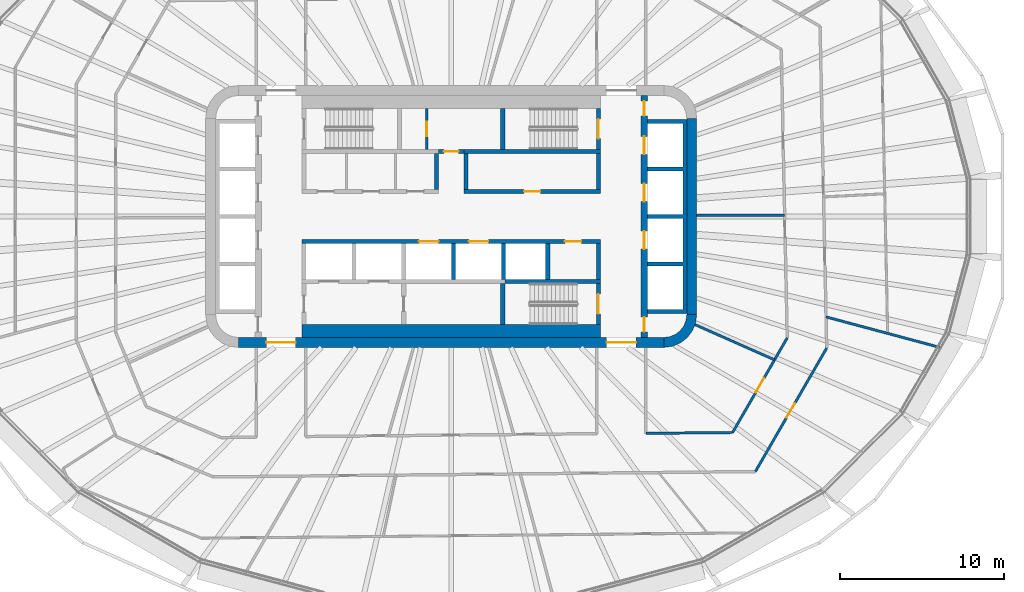
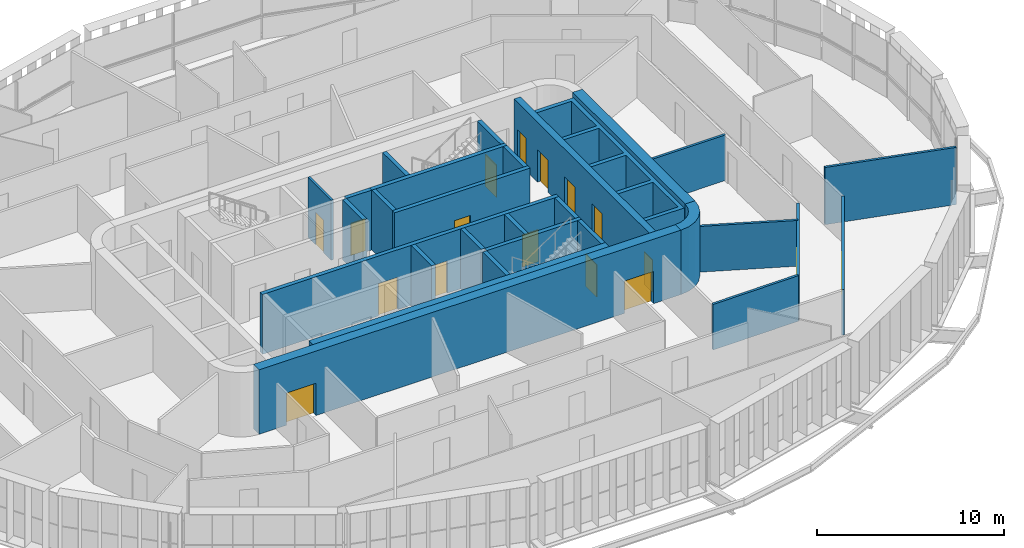
# One storey, part 16 of 26: 29 walls, 17 doors, 17 openings.
"""IFC4 building model written with IfcOpenShell, lengths in metres."""

from ifc_helpers import new_model, si_unit, direction, frame, frame_2d, origin, place, context, subcontext, project, spatial, polyline, rectangle, outline, extrude, material, layer, layer_set, type_object, element, fill, save


model = new_model("IFC4")

# Units and contexts
model_context = context("Model", 3, precision=1e-05, world=origin(), true_north=direction((0.0, 1.0)))
body_context = subcontext(model_context, "Body", "Model", "MODEL_VIEW")
ifc_project = project(units=[si_unit("LENGTHUNIT", "METRE"), si_unit("AREAUNIT", "SQUARE_METRE"), si_unit("VOLUMEUNIT", "CUBIC_METRE"), si_unit("PLANEANGLEUNIT", "RADIAN"), si_unit("MASSUNIT", "GRAM", prefix="KILO")], contexts=[model_context])

# Site, building, storey
site_placement = place(None, origin())
site = spatial("IfcSite", under=ifc_project, at=site_placement, CompositionType="ELEMENT")
building_placement = place(site_placement, origin())
building = spatial("IfcBuilding", under=site, at=building_placement, Name="Sahrelin Media Tower", CompositionType="ELEMENT")
storey_placement = place(building_placement, frame((0.0, 0.0, 92.39990234375)))
storey = spatial("IfcBuildingStorey", under=building, at=storey_placement, Name="L17", CompositionType="ELEMENT", Elevation=92.39990234375)

# Wall, openings, doors
ifc_material_1 = material(Name="Concrete C60/75", Category="concrete")
ifc_layer_1 = layer(ifc_material_1, 0.60009765625)
ifc_layer_set_1 = layer_set([ifc_layer_1], Name="Core wall 600")
wall_type_1 = type_object("IfcWallType", Name="Core wall 600", PredefinedType="SHEAR", material=ifc_layer_set_1)
wall_1_placement = place(storey_placement, frame((-13.0, -7.699951171875, 0.0), z_axis=(0.0, 0.0, 1.0), x_axis=(1.0, 0.0, 0.0)))
wall_1 = element("IfcWall", 1, at=wall_1_placement, inside=storey, type_object=wall_type_1, Name="Core wall S L17", PredefinedType="SHEAR", context=body_context, shape_type="SweptSolid", body=[
    extrude(rectangle(XDim=26.0, YDim=0.60009765625, at=frame_2d((13.0, 0.0))), origin(), (0.0, 0.0, 1.0), 4.2001953125),
])
opening_1_placement = place(wall_1_placement, frame((1.699951171875, 0.0, 0.0)))
opening_1 = element("IfcOpeningElement", 2, at=opening_1_placement, cuts=wall_1, Name="Opening L17-D19", PredefinedType="OPENING", context=body_context, shape_type="SweptSolid", body=[
    extrude(rectangle(XDim=1.800048828125, YDim=2.10009765625, at=frame_2d((0.89990234375, 1.050048828125))), frame((0.0, 0.300048828125, 0.0), z_axis=(0.0, -1.0, 0.0), x_axis=(1.0, 0.0, 0.0)), (0.0, 0.0, 1.0), 0.60009765625),
])
opening_2_placement = place(wall_1_placement, frame((22.5, 0.0, 0.0)))
opening_2 = element("IfcOpeningElement", 3, at=opening_2_placement, cuts=wall_1, Name="Opening L17-D20", PredefinedType="OPENING", context=body_context, shape_type="SweptSolid", body=[
    extrude(rectangle(XDim=1.800048828125, YDim=2.10009765625, at=frame_2d((0.89990234375, 1.050048828125))), frame((0.0, 0.300048828125, 0.0), z_axis=(0.0, -1.0, 0.0), x_axis=(1.0, 0.0, 0.0)), (0.0, 0.0, 1.0), 0.60009765625),
])
ifc_material_2 = material(Name="Steel fire door leaf", Category="steel")
door_type_1 = type_object("IfcDoorType", Name="Lobby double door 1800 x 2100 EI 60", OperationType="DOUBLE_DOOR_SINGLE_SWING", PredefinedType="DOOR", material=ifc_material_2)
door_1_placement = place(opening_1_placement, origin())
door_1 = element("IfcDoor", 4, at=door_1_placement, inside=storey, type_object=door_type_1, Name="Lobby door", OperationType="DOUBLE_DOOR_SINGLE_SWING", OverallHeight=2.10009765625, OverallWidth=1.800048828125, PredefinedType="DOOR", context=body_context, shape_type="SweptSolid", body=[
    extrude(rectangle(XDim=1.800048828125, YDim=2.10009765625, at=frame_2d((0.89990234375, 1.050048828125))), frame((0.0, 0.02490234375, 0.0), z_axis=(0.0, -1.0, 0.0), x_axis=(1.0, 0.0, 0.0)), (0.0, 0.0, 1.0), 0.050048828125),
])
fill(opening_1, door_1)
door_2_placement = place(opening_2_placement, origin())
door_2 = element("IfcDoor", 5, at=door_2_placement, inside=storey, type_object=door_type_1, Name="Lobby door", OperationType="DOUBLE_DOOR_SINGLE_SWING", OverallHeight=2.10009765625, OverallWidth=1.800048828125, PredefinedType="DOOR", context=body_context, shape_type="SweptSolid", body=[
    extrude(rectangle(XDim=1.800048828125, YDim=2.10009765625, at=frame_2d((0.89990234375, 1.050048828125))), frame((0.0, 0.02490234375, 0.0), z_axis=(0.0, -1.0, 0.0), x_axis=(1.0, 0.0, 0.0)), (0.0, 0.0, 1.0), 0.050048828125),
])
fill(opening_2, door_2)

# Walls
wall_2_placement = place(storey_placement, frame((14.699951171875, -6.0, 0.0), z_axis=(0.0, 0.0, 1.0), x_axis=(0.0, 1.0, 0.0)))
element("IfcWall", 6, at=wall_2_placement, inside=storey, type_object=wall_type_1, Name="Core wall E L17", PredefinedType="SHEAR", context=body_context, shape_type="SweptSolid", body=[
    extrude(rectangle(XDim=12.0, YDim=0.60009765625, at=frame_2d((6.0, 0.0))), origin(), (0.0, 0.0, 1.0), 4.2001953125),
])
placement = place(storey_placement, origin())
element("IfcWall", 7, at=placement, inside=storey, type_object=wall_type_1, Name="Core wall corner SE L17", PredefinedType="SHEAR", context=body_context, shape_type="SweptSolid", body=[
    extrude(outline(polyline([(15.0, -6.0), (14.394775390625, -6.0), (14.347412109375, -6.361083984375), (14.2080078125, -6.697509765625), (13.986328125, -6.986328125), (13.697509765625, -7.2080078125), (13.361083984375, -7.347412109375), (13.0, -7.394775390625), (13.0, -8.0), (13.517578125, -7.931884765625), (14.0, -7.732177734375), (14.414306640625, -7.414306640625), (14.732177734375, -7.0), (14.931884765625, -6.517578125), (15.0, -6.0)])), origin(), (0.0, 0.0, 1.0), 4.2001953125),
])

# Wall, opening, door
ifc_material_3 = material(Name="Fire-rated gypsum board partition")
ifc_layer_2 = layer(ifc_material_3, 0.25)
ifc_layer_set_2 = layer_set([ifc_layer_2], Name="Fire-rated lobby wall 250")
wall_type_2 = type_object("IfcWallType", Name="Fire-rated lobby wall 250", PredefinedType="PARTITIONING", material=ifc_layer_set_2)
wall_4_placement = place(storey_placement, frame((-0.77490234375, 3.97509765625, 0.0), z_axis=(0.0, 0.0, 1.0), x_axis=(1.0, 0.0, 0.0)))
wall_4 = element("IfcWall", 8, at=wall_4_placement, inside=storey, type_object=wall_type_2, Name="Core lobby wall", PredefinedType="PARTITIONING", context=body_context, shape_type="SweptSolid", body=[
    extrude(rectangle(XDim=1.5498046875, YDim=0.25, at=frame_2d((0.77490234375, 0.0))), origin(), (0.0, 0.0, 1.0), 3.900146484375),
])
opening_3_placement = place(wall_4_placement, frame((0.324951171875, 0.0, 0.0)))
opening_3 = element("IfcOpeningElement", 9, at=opening_3_placement, cuts=wall_4, Name="Opening L17-D06", PredefinedType="OPENING", context=body_context, shape_type="SweptSolid", body=[
    extrude(rectangle(XDim=0.89990234375, YDim=2.10009765625, at=frame_2d((0.449951171875, 1.050048828125))), frame((0.0, 0.125, 0.0), z_axis=(0.0, -1.0, 0.0), x_axis=(1.0, 0.0, 0.0)), (0.0, 0.0, 1.0), 0.25),
])
door_type_2 = type_object("IfcDoorType", Name="Riser door 900 x 2100 EI 120", OperationType="NOTDEFINED", PredefinedType="DOOR", material=ifc_material_2)
door_3_placement = place(opening_3_placement, origin())
door_3 = element("IfcDoor", 10, at=door_3_placement, inside=storey, type_object=door_type_2, Name="Core room door", OperationType="SINGLE_SWING_LEFT", OverallHeight=2.10009765625, OverallWidth=0.89990234375, PredefinedType="DOOR", context=body_context, shape_type="SweptSolid", body=[
    extrude(rectangle(XDim=0.89990234375, YDim=2.10009765625, at=frame_2d((0.449951171875, 1.050048828125))), frame((0.0, 0.02490234375, 0.0), z_axis=(0.0, -1.0, 0.0), x_axis=(1.0, 0.0, 0.0)), (0.0, 0.0, 1.0), 0.050048828125),
])
fill(opening_3, door_3)

wall_5_placement = place(storey_placement, frame((0.77490234375, 1.52490234375, 0.0), z_axis=(0.0, 0.0, 1.0), x_axis=(1.0, 0.0, 0.0)))
wall_5 = element("IfcWall", 11, at=wall_5_placement, inside=storey, type_object=wall_type_2, Name="Core lobby wall", PredefinedType="PARTITIONING", context=body_context, shape_type="SweptSolid", body=[
    extrude(rectangle(XDim=8.35009765625, YDim=0.25, at=frame_2d((4.175048828125, 0.0))), origin(), (0.0, 0.0, 1.0), 3.900146484375),
])
opening_4_placement = place(wall_5_placement, frame((3.675048828125, 0.0, 0.0)))
opening_4 = element("IfcOpeningElement", 12, at=opening_4_placement, cuts=wall_5, Name="Opening L17-D11", PredefinedType="OPENING", context=body_context, shape_type="SweptSolid", body=[
    extrude(rectangle(XDim=1.0, YDim=2.10009765625, at=frame_2d((0.5, 1.050048828125))), frame((0.0, 0.125, 0.0), z_axis=(0.0, -1.0, 0.0), x_axis=(1.0, 0.0, 0.0)), (0.0, 0.0, 1.0), 0.25),
])
door_type_3 = type_object("IfcDoorType", Name="Fire door 1000 x 2100 EI 60", OperationType="NOTDEFINED", PredefinedType="DOOR", material=ifc_material_2)
door_4_placement = place(opening_4_placement, origin())
door_4 = element("IfcDoor", 13, at=door_4_placement, inside=storey, type_object=door_type_3, Name="Core room door", OperationType="SINGLE_SWING_LEFT", OverallHeight=2.10009765625, OverallWidth=1.0, PredefinedType="DOOR", context=body_context, shape_type="SweptSolid", body=[
    extrude(rectangle(XDim=1.0, YDim=2.10009765625, at=frame_2d((0.5, 1.050048828125))), frame((0.0, 0.02490234375, 0.0), z_axis=(0.0, -1.0, 0.0), x_axis=(1.0, 0.0, 0.0)), (0.0, 0.0, 1.0), 0.050048828125),
])
fill(opening_4, door_4)

# Walls
for number, where, z_axis, x_axis, name in (
    (14, (-0.89990234375, 1.64990234375, 0.0), (0.0, 0.0, 1.0), (0.0, 1.0, 0.0), "Core lobby wall"),
    (15, (9.0, 1.64990234375, 0.0), (0.0, 0.0, 1.0), (0.0, 1.0, 0.0), "Core lobby wall"),
    (16, (0.89990234375, 1.64990234375, 0.0), (0.0, 0.0, 1.0), (0.0, 1.0, 0.0), "Core lobby wall"),
):
    element("IfcWall", number, at=place(storey_placement, frame(where, z_axis=z_axis, x_axis=x_axis)), inside=storey, type_object=wall_type_2, Name=name, PredefinedType="PARTITIONING", context=body_context, shape_type="SweptSolid", body=[
        extrude(rectangle(XDim=2.2001953125, YDim=0.25, at=frame_2d((1.10009765625, 0.0))), origin(), (0.0, 0.0, 1.0), 3.900146484375),
    ])

# Wall, opening, door
ifc_layer_3 = layer(ifc_material_3, 0.14990234375)
ifc_layer_set_3 = layer_set([ifc_layer_3], Name="Fire-rated partition 150")
wall_type_3 = type_object("IfcWallType", Name="Fire-rated partition 150", PredefinedType="PARTITIONING", material=ifc_layer_set_3)
wall_6_placement = place(storey_placement, frame((-1.5, 4.10009765625, 0.0), z_axis=(0.0, 0.0, 1.0), x_axis=(0.0, 1.0, 0.0)))
wall_6 = element("IfcWall", 17, at=wall_6_placement, inside=storey, type_object=wall_type_3, Name="Core room fire partition", PredefinedType="PARTITIONING", context=body_context, shape_type="SweptSolid", body=[
    extrude(rectangle(XDim=2.5, YDim=0.14990234375, at=frame_2d((1.25, 0.0))), origin(), (0.0, 0.0, 1.0), 3.900146484375),
])
opening_5_placement = place(wall_6_placement, frame((0.800048828125, 0.0, 0.0)))
opening_5 = element("IfcOpeningElement", 18, at=opening_5_placement, cuts=wall_6, Name="Opening L17-D07", PredefinedType="OPENING", context=body_context, shape_type="SweptSolid", body=[
    extrude(rectangle(XDim=0.89990234375, YDim=2.10009765625, at=frame_2d((0.449951171875, 1.050048828125))), frame((0.0, 0.074951171875, 0.0), z_axis=(0.0, -1.0, 0.0), x_axis=(1.0, 0.0, 0.0)), (0.0, 0.0, 1.0), 0.14990234375),
])
door_type_4 = type_object("IfcDoorType", Name="Fire door 900 x 2100 EI 60", OperationType="NOTDEFINED", PredefinedType="DOOR", material=ifc_material_2)
door_5_placement = place(opening_5_placement, origin())
door_5 = element("IfcDoor", 19, at=door_5_placement, inside=storey, type_object=door_type_4, Name="Core room door", OperationType="SINGLE_SWING_LEFT", OverallHeight=2.10009765625, OverallWidth=0.89990234375, PredefinedType="DOOR", context=body_context, shape_type="SweptSolid", body=[
    extrude(rectangle(XDim=0.89990234375, YDim=2.10009765625, at=frame_2d((0.449951171875, 1.050048828125))), frame((0.0, 0.02490234375, 0.0), z_axis=(0.0, -1.0, 0.0), x_axis=(1.0, 0.0, 0.0)), (0.0, 0.0, 1.0), 0.050048828125),
])
fill(opening_5, door_5)

# Walls
wall_7_placement = place(storey_placement, frame((14.89501953125, -6.60693359375, 0.0), z_axis=(0.0, 0.0, 1.0), x_axis=(0.914233271379, -0.405188259337, 0.0)))
element("IfcWall", 20, at=wall_7_placement, inside=storey, type_object=wall_type_3, Name="Wall", PredefinedType="PARTITIONING", context=body_context, shape_type="SweptSolid", body=[
    extrude(rectangle(XDim=5.3173828125, YDim=0.14990234375, at=frame_2d((2.65869140625, 0.0))), origin(), (0.0, 0.0, 1.0), 2.97705078125),
])
wall_8_placement = place(storey_placement, frame((22.905029296875, -6.136962890625, 0.0), z_axis=(0.0, 0.0, 1.0), x_axis=(0.965915974273, -0.258855810529, 0.0)))
element("IfcWall", 21, at=wall_8_placement, inside=storey, type_object=wall_type_3, Name="Wall", PredefinedType="PARTITIONING", context=body_context, shape_type="SweptSolid", body=[
    extrude(rectangle(XDim=7.270751953125, YDim=0.14990234375, at=frame_2d((3.63525390625, 0.0))), origin(), (0.0, 0.0, 1.0), 3.726806640625),
])
wall_9_placement = place(storey_placement, frame((15.0, 0.06298828125, 0.0), z_axis=(0.0, 0.0, 1.0), x_axis=(0.999990294223, 0.004405843865, 0.0)))
element("IfcWall", 22, at=wall_9_placement, inside=storey, type_object=wall_type_3, Name="Wall", PredefinedType="PARTITIONING", context=body_context, shape_type="SweptSolid", body=[
    extrude(rectangle(XDim=5.375, YDim=0.14990234375, at=frame_2d((2.6875, 0.0))), origin(), (0.0, 0.0, 1.0), 2.96826171875),
])
wall_10_placement = place(storey_placement, frame((11.89990234375, -13.2529296875, 0.0), z_axis=(0.0, 0.0, 1.0), x_axis=(0.999950853109, 0.009914200296, 0.0)))
element("IfcWall", 23, at=wall_10_placement, inside=storey, type_object=wall_type_3, Name="Wall", PredefinedType="PARTITIONING", context=body_context, shape_type="SweptSolid", body=[
    extrude(rectangle(XDim=5.29443359375, YDim=0.14990234375, at=frame_2d((2.647216796875, 0.0))), origin(), (0.0, 0.0, 1.0), 2.96826171875),
])

# Wall, opening, door
wall_11_placement = place(storey_placement, frame((18.5869140625, -15.5869140625, 0.0), z_axis=(0.0, 0.0, 1.0), x_axis=(0.500026433136, 0.866010142069, 0.0)))
wall_11 = element("IfcWall", 24, at=wall_11_placement, inside=storey, type_object=wall_type_3, Name="Wall", PredefinedType="PARTITIONING", context=body_context, shape_type="SweptSolid", body=[
    extrude(rectangle(XDim=8.71337890625, YDim=0.14990234375, at=frame_2d((4.356689453125, 0.0))), origin(), (0.0, 0.0, 1.0), 2.96826171875),
])
opening_6_placement = place(wall_11_placement, frame((3.80712890625, 0.0, 0.0)))
opening_6 = element("IfcOpeningElement", 25, at=opening_6_placement, cuts=wall_11, Name="Opening L17-D36", PredefinedType="OPENING", context=body_context, shape_type="SweptSolid", body=[
    extrude(rectangle(XDim=1.0, YDim=2.10009765625, at=frame_2d((0.5, 1.050048828125))), frame((0.0, 0.074951171875, 0.0), z_axis=(0.0, -1.0, 0.0), x_axis=(1.0, 0.0, 0.0)), (0.0, 0.0, 1.0), 0.14990234375),
])
door_6_placement = place(opening_6_placement, origin())
door_6 = element("IfcDoor", 26, at=door_6_placement, inside=storey, type_object=door_type_3, Name="Fire door", OperationType="SINGLE_SWING_LEFT", OverallHeight=2.10009765625, OverallWidth=1.0, PredefinedType="DOOR", context=body_context, shape_type="SweptSolid", body=[
    extrude(rectangle(XDim=1.0, YDim=2.10009765625, at=frame_2d((0.5, 1.050048828125))), frame((0.0, 0.02490234375, 0.0), z_axis=(0.0, -1.0, 0.0), x_axis=(1.0, 0.0, 0.0)), (0.0, 0.0, 1.0), 0.050048828125),
])
fill(opening_6, door_6)

wall_12_placement = place(storey_placement, frame((17.194091796875, -13.200927734375, 0.0), z_axis=(0.0, 0.0, 1.0), x_axis=(0.50001062018, 0.866019272134, 0.0)))
wall_12 = element("IfcWall", 27, at=wall_12_placement, inside=storey, type_object=wall_type_3, Name="Wall", PredefinedType="PARTITIONING", context=body_context, shape_type="SweptSolid", body=[
    extrude(rectangle(XDim=6.673583984375, YDim=0.14990234375, at=frame_2d((3.3369140625, 0.0))), origin(), (0.0, 0.0, 1.0), 2.96826171875),
])
opening_7_placement = place(wall_12_placement, frame((2.83349609375, 0.0, 0.0)))
opening_7 = element("IfcOpeningElement", 28, at=opening_7_placement, cuts=wall_12, Name="Opening L17-D24", PredefinedType="OPENING", context=body_context, shape_type="SweptSolid", body=[
    extrude(rectangle(XDim=1.0, YDim=2.10009765625, at=frame_2d((0.5, 1.050048828125))), frame((0.0, 0.074951171875, 0.0), z_axis=(0.0, -1.0, 0.0), x_axis=(1.0, 0.0, 0.0)), (0.0, 0.0, 1.0), 0.14990234375),
])
door_7_placement = place(opening_7_placement, origin())
door_7 = element("IfcDoor", 29, at=door_7_placement, inside=storey, type_object=door_type_3, Name="Fire door", OperationType="SINGLE_SWING_LEFT", OverallHeight=2.10009765625, OverallWidth=1.0, PredefinedType="DOOR", context=body_context, shape_type="SweptSolid", body=[
    extrude(rectangle(XDim=1.0, YDim=2.10009765625, at=frame_2d((0.5, 1.050048828125))), frame((0.0, 0.02490234375, 0.0), z_axis=(0.0, -1.0, 0.0), x_axis=(1.0, 0.0, 0.0)), (0.0, 0.0, 1.0), 0.050048828125),
])
fill(opening_7, door_7)

# Wall, openings, doors
ifc_layer_4 = layer(ifc_material_1, 0.25)
ifc_layer_set_4 = layer_set([ifc_layer_4], Name="Lift shaft wall 250")
wall_type_4 = type_object("IfcWallType", Name="Lift shaft wall 250", PredefinedType="SOLIDWALL", material=ifc_layer_set_4)
wall_13_placement = place(storey_placement, frame((-9.125, -1.52490234375, 0.0), z_axis=(0.0, 0.0, 1.0), x_axis=(1.0, 0.0, 0.0)))
wall_13 = element("IfcWall", 30, at=wall_13_placement, inside=storey, type_object=wall_type_4, Name="Lift shaft wall", PredefinedType="SOLIDWALL", context=body_context, shape_type="SweptSolid", body=[
    extrude(rectangle(XDim=18.25, YDim=0.25, at=frame_2d((9.125, 0.0))), origin(), (0.0, 0.0, 1.0), 3.900146484375),
])
opening_8_placement = place(wall_13_placement, frame((7.14990234375, 0.0, 0.0)))
opening_8 = element("IfcOpeningElement", 31, at=opening_8_placement, cuts=wall_13, Name="Opening L17-LD-SV1", PredefinedType="OPENING", context=body_context, shape_type="SweptSolid", body=[
    extrude(rectangle(XDim=1.199951171875, YDim=2.10009765625, at=frame_2d((0.60009765625, 1.050048828125))), frame((0.0, 0.125, 0.0), z_axis=(0.0, -1.0, 0.0), x_axis=(1.0, 0.0, 0.0)), (0.0, 0.0, 1.0), 0.25),
])
opening_9_placement = place(wall_13_placement, frame((10.199951171875, 0.0, 0.0)))
opening_9 = element("IfcOpeningElement", 32, at=opening_9_placement, cuts=wall_13, Name="Opening L17-LD-SV2", PredefinedType="OPENING", context=body_context, shape_type="SweptSolid", body=[
    extrude(rectangle(XDim=1.199951171875, YDim=2.10009765625, at=frame_2d((0.60009765625, 1.050048828125))), frame((0.0, 0.125, 0.0), z_axis=(0.0, -1.0, 0.0), x_axis=(1.0, 0.0, 0.0)), (0.0, 0.0, 1.0), 0.25),
])
opening_10_placement = place(wall_13_placement, frame((16.074951171875, 0.0, 0.0)))
opening_10 = element("IfcOpeningElement", 33, at=opening_10_placement, cuts=wall_13, Name="Opening L17-D12", PredefinedType="OPENING", context=body_context, shape_type="SweptSolid", body=[
    extrude(rectangle(XDim=1.0, YDim=2.10009765625, at=frame_2d((0.5, 1.050048828125))), frame((0.0, 0.125, 0.0), z_axis=(0.0, -1.0, 0.0), x_axis=(1.0, 0.0, 0.0)), (0.0, 0.0, 1.0), 0.25),
])
door_8_placement = place(opening_10_placement, origin())
door_8 = element("IfcDoor", 34, at=door_8_placement, inside=storey, type_object=door_type_3, Name="Core room door", OperationType="SINGLE_SWING_RIGHT", OverallHeight=2.10009765625, OverallWidth=1.0, PredefinedType="DOOR", context=body_context, shape_type="SweptSolid", body=[
    extrude(rectangle(XDim=1.0, YDim=2.10009765625, at=frame_2d((0.5, 1.050048828125))), frame((0.0, 0.02490234375, 0.0), z_axis=(0.0, -1.0, 0.0), x_axis=(1.0, 0.0, 0.0)), (0.0, 0.0, 1.0), 0.050048828125),
])
fill(opening_10, door_8)
ifc_material_4 = material(Name="Stainless steel", Category="steel")
door_type_5 = type_object("IfcDoorType", Name="Lift landing door 1200 x 2100 EI 120", OperationType="DOUBLE_DOOR_SLIDING", PredefinedType="DOOR", material=ifc_material_4)
door_9_placement = place(opening_8_placement, origin())
door_9 = element("IfcDoor", 35, at=door_9_placement, inside=storey, type_object=door_type_5, Name="Lift landing door SV1", OperationType="DOUBLE_DOOR_SLIDING", OverallHeight=2.10009765625, OverallWidth=1.199951171875, PredefinedType="DOOR", context=body_context, shape_type="SweptSolid", body=[
    extrude(rectangle(XDim=1.199951171875, YDim=2.10009765625, at=frame_2d((0.60009765625, 1.050048828125))), frame((0.0, 0.02490234375, 0.0), z_axis=(0.0, -1.0, 0.0), x_axis=(1.0, 0.0, 0.0)), (0.0, 0.0, 1.0), 0.050048828125),
])
fill(opening_8, door_9)
door_10_placement = place(opening_9_placement, origin())
door_10 = element("IfcDoor", 36, at=door_10_placement, inside=storey, type_object=door_type_5, Name="Lift landing door SV2", OperationType="DOUBLE_DOOR_SLIDING", OverallHeight=2.10009765625, OverallWidth=1.199951171875, PredefinedType="DOOR", context=body_context, shape_type="SweptSolid", body=[
    extrude(rectangle(XDim=1.199951171875, YDim=2.10009765625, at=frame_2d((0.60009765625, 1.050048828125))), frame((0.0, 0.02490234375, 0.0), z_axis=(0.0, -1.0, 0.0), x_axis=(1.0, 0.0, 0.0)), (0.0, 0.0, 1.0), 0.050048828125),
])
fill(opening_9, door_10)

# Walls
wall_14_placement = place(storey_placement, frame((3.27490234375, -3.97509765625, 0.0), z_axis=(0.0, 0.0, 1.0), x_axis=(1.0, 0.0, 0.0)))
element("IfcWall", 37, at=wall_14_placement, inside=storey, type_object=wall_type_4, Name="Lift shaft wall", PredefinedType="SOLIDWALL", context=body_context, shape_type="SweptSolid", body=[
    extrude(rectangle(XDim=5.85009765625, YDim=0.25, at=frame_2d((2.925048828125, 0.0))), origin(), (0.0, 0.0, 1.0), 3.900146484375),
])
for number, where, z_axis, x_axis, name in (
    (38, (0.14990234375, -3.85009765625, 0.0), (0.0, 0.0, 1.0), (0.0, 1.0, 0.0), "Lift shaft wall"),
    (39, (3.199951171875, -3.85009765625, 0.0), (0.0, 0.0, 1.0), (0.0, 1.0, 0.0), "Lift shaft wall"),
    (40, (5.89990234375, -3.85009765625, 0.0), (0.0, 0.0, 1.0), (0.0, 1.0, 0.0), "Lift shaft wall"),
    (41, (9.0, -3.85009765625, 0.0), (0.0, 0.0, 1.0), (0.0, 1.0, 0.0), "Lift shaft wall"),
):
    element("IfcWall", number, at=place(storey_placement, frame(where, z_axis=z_axis, x_axis=x_axis)), inside=storey, type_object=wall_type_4, Name=name, PredefinedType="SOLIDWALL", context=body_context, shape_type="SweptSolid", body=[
        extrude(rectangle(XDim=2.2001953125, YDim=0.25, at=frame_2d((1.10009765625, 0.0))), origin(), (0.0, 0.0, 1.0), 3.900146484375),
    ])
element("IfcWall", 42, at=placement, inside=storey, type_object=wall_type_4, Name="Lift shaft wall", PredefinedType="SOLIDWALL", context=body_context, shape_type="SweptSolid", body=[
    extrude(outline(polyline([(12.0, -5.675048828125), (12.0, -5.925048828125), (14.14990234375, -5.925048828125), (14.39990234375, -5.925048828125), (14.39990234375, -5.675048828125), (14.39990234375, -3.02490234375), (14.39990234375, -2.77490234375), (14.39990234375, -0.125), (14.39990234375, 0.125), (14.39990234375, 2.77490234375), (14.39990234375, 3.02490234375), (14.39990234375, 5.675048828125), (14.39990234375, 5.925048828125), (14.14990234375, 5.925048828125), (12.0, 5.925048828125), (12.0, 5.675048828125), (14.14990234375, 5.675048828125), (14.14990234375, 3.02490234375), (12.0, 3.02490234375), (12.0, 2.77490234375), (14.14990234375, 2.77490234375), (14.14990234375, 0.125), (12.0, 0.125), (12.0, -0.125), (14.14990234375, -0.125), (14.14990234375, -2.77490234375), (12.0, -2.77490234375), (12.0, -3.02490234375), (14.14990234375, -3.02490234375), (14.14990234375, -5.675048828125), (12.0, -5.675048828125)])), origin(), (0.0, 0.0, 1.0), 3.900146484375),
])

# Wall, openings, doors
ifc_layer_5 = layer(ifc_material_1, 0.39990234375)
ifc_layer_set_5 = layer_set([ifc_layer_5], Name="Lift shaft wall 400")
wall_type_5 = type_object("IfcWallType", Name="Lift shaft wall 400", PredefinedType="SOLIDWALL", material=ifc_layer_set_5)
wall_16_placement = place(storey_placement, frame((11.800048828125, -7.39990234375, 0.0), z_axis=(0.0, 0.0, 1.0), x_axis=(0.0, 1.0, 0.0)))
wall_16 = element("IfcWall", 43, at=wall_16_placement, inside=storey, type_object=wall_type_5, Name="Lift shaft wall", PredefinedType="SOLIDWALL", context=body_context, shape_type="SweptSolid", body=[
    extrude(rectangle(XDim=14.7998046875, YDim=0.39990234375, at=frame_2d((7.39990234375, 0.0))), origin(), (0.0, 0.0, 1.0), 3.900146484375),
])
opening_11_placement = place(wall_16_placement, frame((11.199951171875, 0.0, 0.0)))
opening_11 = element("IfcOpeningElement", 44, at=opening_11_placement, cuts=wall_16, Name="Opening L17-LD-LR4", PredefinedType="OPENING", context=body_context, shape_type="SweptSolid", body=[
    extrude(rectangle(XDim=1.10009765625, YDim=2.10009765625, at=frame_2d((0.550048828125, 1.050048828125))), frame((0.0, 0.199951171875, 0.0), z_axis=(0.0, -1.0, 0.0), x_axis=(1.0, 0.0, 0.0)), (0.0, 0.0, 1.0), 0.39990234375),
])
opening_12_placement = place(wall_16_placement, frame((8.300048828125, 0.0, 0.0)))
opening_12 = element("IfcOpeningElement", 45, at=opening_12_placement, cuts=wall_16, Name="Opening L17-LD-LR5", PredefinedType="OPENING", context=body_context, shape_type="SweptSolid", body=[
    extrude(rectangle(XDim=1.10009765625, YDim=2.10009765625, at=frame_2d((0.550048828125, 1.050048828125))), frame((0.0, 0.199951171875, 0.0), z_axis=(0.0, -1.0, 0.0), x_axis=(1.0, 0.0, 0.0)), (0.0, 0.0, 1.0), 0.39990234375),
])
opening_13_placement = place(wall_16_placement, frame((5.39990234375, 0.0, 0.0)))
opening_13 = element("IfcOpeningElement", 46, at=opening_13_placement, cuts=wall_16, Name="Opening L17-LD-LR6", PredefinedType="OPENING", context=body_context, shape_type="SweptSolid", body=[
    extrude(rectangle(XDim=1.10009765625, YDim=2.10009765625, at=frame_2d((0.550048828125, 1.050048828125))), frame((0.0, 0.199951171875, 0.0), z_axis=(0.0, -1.0, 0.0), x_axis=(1.0, 0.0, 0.0)), (0.0, 0.0, 1.0), 0.39990234375),
])
opening_14_placement = place(wall_16_placement, frame((13.552490234375, 0.0, 0.0)))
opening_14 = element("IfcOpeningElement", 47, at=opening_14_placement, cuts=wall_16, Name="Opening L17-D15", PredefinedType="OPENING", context=body_context, shape_type="SweptSolid", body=[
    extrude(rectangle(XDim=0.89990234375, YDim=2.10009765625, at=frame_2d((0.449951171875, 1.050048828125))), frame((0.0, 0.199951171875, 0.0), z_axis=(0.0, -1.0, 0.0), x_axis=(1.0, 0.0, 0.0)), (0.0, 0.0, 1.0), 0.39990234375),
])
opening_15_placement = place(wall_16_placement, frame((0.347412109375, 0.0, 0.0)))
opening_15 = element("IfcOpeningElement", 48, at=opening_15_placement, cuts=wall_16, Name="Opening L17-D16", PredefinedType="OPENING", context=body_context, shape_type="SweptSolid", body=[
    extrude(rectangle(XDim=0.89990234375, YDim=2.10009765625, at=frame_2d((0.449951171875, 1.050048828125))), frame((0.0, 0.199951171875, 0.0), z_axis=(0.0, -1.0, 0.0), x_axis=(1.0, 0.0, 0.0)), (0.0, 0.0, 1.0), 0.39990234375),
])
door_type_6 = type_object("IfcDoorType", Name="Lift landing door 1100 x 2100 EI 120", OperationType="DOUBLE_DOOR_SLIDING", PredefinedType="DOOR", material=ifc_material_4)
door_11_placement = place(opening_11_placement, origin())
door_11 = element("IfcDoor", 49, at=door_11_placement, inside=storey, type_object=door_type_6, Name="Lift landing door LR4", OperationType="DOUBLE_DOOR_SLIDING", OverallHeight=2.10009765625, OverallWidth=1.10009765625, PredefinedType="DOOR", context=body_context, shape_type="SweptSolid", body=[
    extrude(rectangle(XDim=1.10009765625, YDim=2.10009765625, at=frame_2d((0.550048828125, 1.050048828125))), frame((0.0, 0.02490234375, 0.0), z_axis=(0.0, -1.0, 0.0), x_axis=(1.0, 0.0, 0.0)), (0.0, 0.0, 1.0), 0.050048828125),
])
fill(opening_11, door_11)
door_12_placement = place(opening_12_placement, origin())
door_12 = element("IfcDoor", 50, at=door_12_placement, inside=storey, type_object=door_type_6, Name="Lift landing door LR5", OperationType="DOUBLE_DOOR_SLIDING", OverallHeight=2.10009765625, OverallWidth=1.10009765625, PredefinedType="DOOR", context=body_context, shape_type="SweptSolid", body=[
    extrude(rectangle(XDim=1.10009765625, YDim=2.10009765625, at=frame_2d((0.550048828125, 1.050048828125))), frame((0.0, 0.02490234375, 0.0), z_axis=(0.0, -1.0, 0.0), x_axis=(1.0, 0.0, 0.0)), (0.0, 0.0, 1.0), 0.050048828125),
])
fill(opening_12, door_12)
door_13_placement = place(opening_13_placement, origin())
door_13 = element("IfcDoor", 51, at=door_13_placement, inside=storey, type_object=door_type_6, Name="Lift landing door LR6", OperationType="DOUBLE_DOOR_SLIDING", OverallHeight=2.10009765625, OverallWidth=1.10009765625, PredefinedType="DOOR", context=body_context, shape_type="SweptSolid", body=[
    extrude(rectangle(XDim=1.10009765625, YDim=2.10009765625, at=frame_2d((0.550048828125, 1.050048828125))), frame((0.0, 0.02490234375, 0.0), z_axis=(0.0, -1.0, 0.0), x_axis=(1.0, 0.0, 0.0)), (0.0, 0.0, 1.0), 0.050048828125),
])
fill(opening_13, door_13)
door_14_placement = place(opening_14_placement, origin())
door_14 = element("IfcDoor", 52, at=door_14_placement, inside=storey, type_object=door_type_2, Name="Riser door", OperationType="SINGLE_SWING_RIGHT", OverallHeight=2.10009765625, OverallWidth=0.89990234375, PredefinedType="DOOR", context=body_context, shape_type="SweptSolid", body=[
    extrude(rectangle(XDim=0.89990234375, YDim=2.10009765625, at=frame_2d((0.449951171875, 1.050048828125))), frame((0.0, 0.02490234375, 0.0), z_axis=(0.0, -1.0, 0.0), x_axis=(1.0, 0.0, 0.0)), (0.0, 0.0, 1.0), 0.050048828125),
])
fill(opening_14, door_14)
door_15_placement = place(opening_15_placement, origin())
door_15 = element("IfcDoor", 53, at=door_15_placement, inside=storey, type_object=door_type_2, Name="Riser door", OperationType="SINGLE_SWING_RIGHT", OverallHeight=2.10009765625, OverallWidth=0.89990234375, PredefinedType="DOOR", context=body_context, shape_type="SweptSolid", body=[
    extrude(rectangle(XDim=0.89990234375, YDim=2.10009765625, at=frame_2d((0.449951171875, 1.050048828125))), frame((0.0, 0.02490234375, 0.0), z_axis=(0.0, -1.0, 0.0), x_axis=(1.0, 0.0, 0.0)), (0.0, 0.0, 1.0), 0.050048828125),
])
fill(opening_15, door_15)

# Wall, opening, door
ifc_layer_6 = layer(ifc_material_1, 0.25)
ifc_layer_set_6 = layer_set([ifc_layer_6], Name="Stair enclosure wall 250")
wall_type_6 = type_object("IfcWallType", Name="Stair enclosure wall 250", PredefinedType="SOLIDWALL", material=ifc_layer_set_6)
wall_17_placement = place(storey_placement, frame((9.0, 4.10009765625, 0.0), z_axis=(0.0, 0.0, 1.0), x_axis=(0.0, 1.0, 0.0)))
wall_17 = element("IfcWall", 54, at=wall_17_placement, inside=storey, type_object=wall_type_6, Name="Stair enclosure wall", PredefinedType="SOLIDWALL", context=body_context, shape_type="SweptSolid", body=[
    extrude(rectangle(XDim=2.5, YDim=0.25, at=frame_2d((1.25, 0.0))), origin(), (0.0, 0.0, 1.0), 3.900146484375),
])
opening_16_placement = place(wall_17_placement, frame((0.64990234375, 0.0, 0.0)))
opening_16 = element("IfcOpeningElement", 55, at=opening_16_placement, cuts=wall_17, Name="Opening L17-D02", PredefinedType="OPENING", context=body_context, shape_type="SweptSolid", body=[
    extrude(rectangle(XDim=1.199951171875, YDim=2.10009765625, at=frame_2d((0.60009765625, 1.050048828125))), frame((0.0, 0.125, 0.0), z_axis=(0.0, -1.0, 0.0), x_axis=(1.0, 0.0, 0.0)), (0.0, 0.0, 1.0), 0.25),
])
door_type_7 = type_object("IfcDoorType", Name="Stair door 1200 x 2100 EI 120", OperationType="NOTDEFINED", PredefinedType="DOOR", material=ifc_material_2)
door_16_placement = place(opening_16_placement, origin())
door_16 = element("IfcDoor", 56, at=door_16_placement, inside=storey, type_object=door_type_7, Name="Stair door ST3", OperationType="SINGLE_SWING_LEFT", OverallHeight=2.10009765625, OverallWidth=1.199951171875, PredefinedType="DOOR", context=body_context, shape_type="SweptSolid", body=[
    extrude(rectangle(XDim=1.199951171875, YDim=2.10009765625, at=frame_2d((0.60009765625, 1.050048828125))), frame((0.0, 0.02490234375, 0.0), z_axis=(0.0, -1.0, 0.0), x_axis=(1.0, 0.0, 0.0)), (0.0, 0.0, 1.0), 0.050048828125),
])
fill(opening_16, door_16)

wall_18_placement = place(storey_placement, frame((9.0, -6.60009765625, 0.0), z_axis=(0.0, 0.0, 1.0), x_axis=(0.0, 1.0, 0.0)))
wall_18 = element("IfcWall", 57, at=wall_18_placement, inside=storey, type_object=wall_type_6, Name="Stair enclosure wall", PredefinedType="SOLIDWALL", context=body_context, shape_type="SweptSolid", body=[
    extrude(rectangle(XDim=2.5, YDim=0.25, at=frame_2d((1.25, 0.0))), origin(), (0.0, 0.0, 1.0), 3.900146484375),
])
opening_17_placement = place(wall_18_placement, frame((0.64990234375, 0.0, 0.0)))
opening_17 = element("IfcOpeningElement", 58, at=opening_17_placement, cuts=wall_18, Name="Opening L17-D03", PredefinedType="OPENING", context=body_context, shape_type="SweptSolid", body=[
    extrude(rectangle(XDim=1.199951171875, YDim=2.10009765625, at=frame_2d((0.60009765625, 1.050048828125))), frame((0.0, 0.125, 0.0), z_axis=(0.0, -1.0, 0.0), x_axis=(1.0, 0.0, 0.0)), (0.0, 0.0, 1.0), 0.25),
])
door_17_placement = place(opening_17_placement, origin())
door_17 = element("IfcDoor", 59, at=door_17_placement, inside=storey, type_object=door_type_7, Name="Stair door ST2", OperationType="SINGLE_SWING_LEFT", OverallHeight=2.10009765625, OverallWidth=1.199951171875, PredefinedType="DOOR", context=body_context, shape_type="SweptSolid", body=[
    extrude(rectangle(XDim=1.199951171875, YDim=2.10009765625, at=frame_2d((0.60009765625, 1.050048828125))), frame((0.0, 0.02490234375, 0.0), z_axis=(0.0, -1.0, 0.0), x_axis=(1.0, 0.0, 0.0)), (0.0, 0.0, 1.0), 0.050048828125),
])
fill(opening_17, door_17)

# Walls
for number, where, z_axis, x_axis, name in (
    (60, (3.14990234375, 4.10009765625, 0.0), (0.0, 0.0, 1.0), (0.0, 1.0, 0.0), "Stair enclosure wall"),
    (61, (3.14990234375, -6.60009765625, 0.0), (0.0, 0.0, 1.0), (0.0, 1.0, 0.0), "Stair enclosure wall"),
):
    element("IfcWall", number, at=place(storey_placement, frame(where, z_axis=z_axis, x_axis=x_axis)), inside=storey, type_object=wall_type_6, Name=name, PredefinedType="SOLIDWALL", context=body_context, shape_type="SweptSolid", body=[
        extrude(rectangle(XDim=2.5, YDim=0.25, at=frame_2d((1.25, 0.0))), origin(), (0.0, 0.0, 1.0), 3.900146484375),
    ])
wall_19_placement = place(storey_placement, frame((0.77490234375, 3.97509765625, 0.0), z_axis=(0.0, 0.0, 1.0), x_axis=(1.0, 0.0, 0.0)))
element("IfcWall", 62, at=wall_19_placement, inside=storey, type_object=wall_type_6, Name="Stair enclosure wall", PredefinedType="SOLIDWALL", context=body_context, shape_type="SweptSolid", body=[
    extrude(rectangle(XDim=8.35009765625, YDim=0.25, at=frame_2d((4.175048828125, 0.0))), origin(), (0.0, 0.0, 1.0), 3.900146484375),
])
ifc_layer_7 = layer(ifc_material_1, 0.800048828125)
ifc_layer_set_7 = layer_set([ifc_layer_7], Name="Stair enclosure wall 800")
wall_type_7 = type_object("IfcWallType", Name="Stair enclosure wall 800", PredefinedType="SOLIDWALL", material=ifc_layer_set_7)
wall_20_placement = place(storey_placement, frame((-9.125, -7.0, 0.0), z_axis=(0.0, 0.0, 1.0), x_axis=(1.0, 0.0, 0.0)))
element("IfcWall", 63, at=wall_20_placement, inside=storey, type_object=wall_type_7, Name="Stair enclosure wall", PredefinedType="SOLIDWALL", context=body_context, shape_type="SweptSolid", body=[
    extrude(rectangle(XDim=18.25, YDim=0.800048828125, at=frame_2d((9.125, 0.0))), origin(), (0.0, 0.0, 1.0), 3.900146484375),
])

save(model, "model.ifc")
